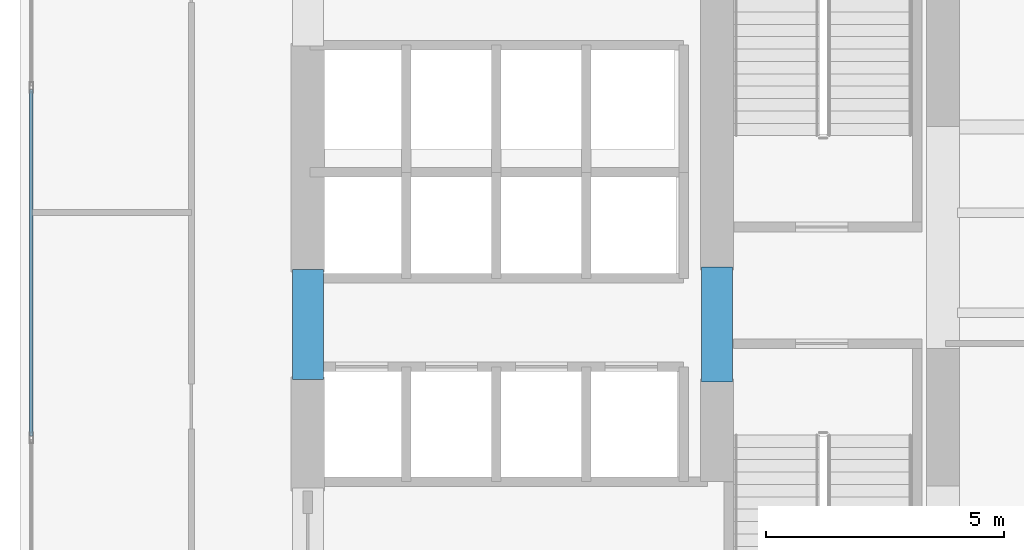
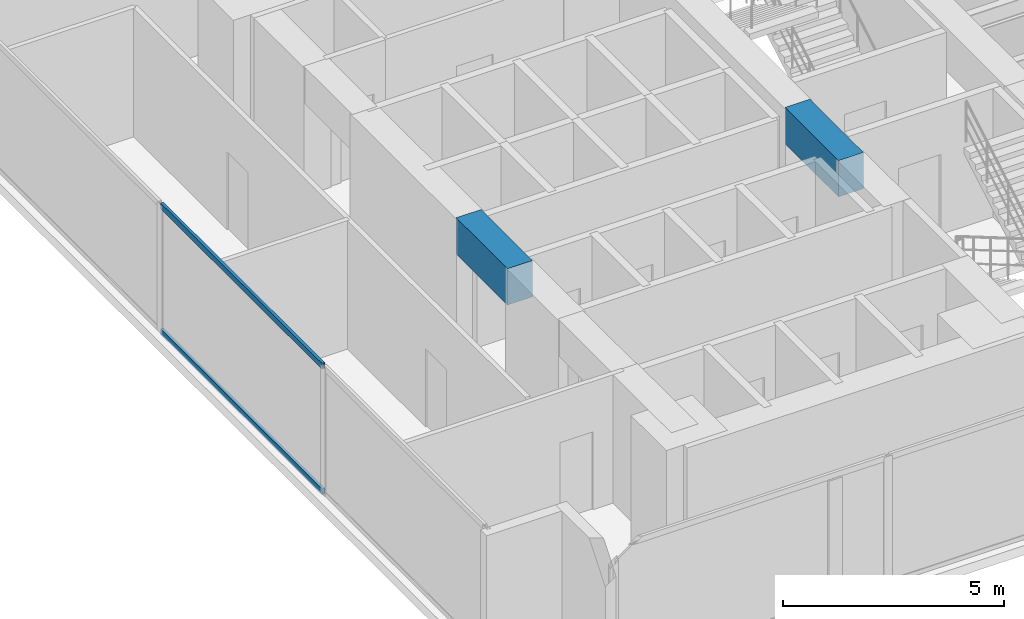
# One storey, part 3 of 27: 2 beams, 2 members, 1 element without a shape of its own.
"""IFC4 building model written with IfcOpenShell, lengths in metres."""

from ifc_helpers import new_model, si_unit, direction, frame, origin, origin_with_axes, origin_2d, place, context, subcontext, project, spatial, rectangle, hollow_rectangle, extrude, source, transform, mapped, material, layer, layer_set, material_profile, profile_set, type_object, element, aggregate, save


model = new_model("IFC4")

# Units and contexts
model_context = context("Model", 3, precision=1e-05, world=origin(), true_north=direction((0.0, 1.0)))
body_context = subcontext(model_context, "Body", "Model", "MODEL_VIEW")
ifc_project = project(units=[si_unit("LENGTHUNIT", "METRE"), si_unit("AREAUNIT", "SQUARE_METRE"), si_unit("VOLUMEUNIT", "CUBIC_METRE"), si_unit("PLANEANGLEUNIT", "RADIAN"), si_unit("MASSUNIT", "GRAM", prefix="KILO")], contexts=[model_context])

# Site, building, storey
site_placement = place(None, origin())
site = spatial("IfcSite", under=ifc_project, at=site_placement, CompositionType="ELEMENT")
building_placement = place(site_placement, origin())
building = spatial("IfcBuilding", under=site, at=building_placement, Name="Kolvaren Waterfront Exchange", CompositionType="ELEMENT")
storey_placement = place(building_placement, frame((0.0, 0.0, 33.39990234375)))
storey = spatial("IfcBuildingStorey", under=building, at=storey_placement, Name="L08", CompositionType="ELEMENT", Elevation=33.39990234375)

# Beams
ifc_material_1 = material(Name="Concrete C60/75", Category="concrete")
ifc_material_profile_1 = material_profile(ifc_material_1, rectangle(XDim=0.64990234375, YDim=1.0, at=origin_2d()), Name="RC-CB-1000x650")
ifc_profile_set_1 = profile_set([ifc_material_profile_1], Name="Concrete C60/75")
beam_type = type_object("IfcBeamType", Name="STR-CB-1000", PredefinedType="SPANDREL", material=ifc_profile_set_1)
beam_1_placement = place(storey_placement, frame((7.449951171875, 12.090087890625, 3.0400390625), z_axis=(0.0, 1.0, 0.0), x_axis=(-1.0, 0.0, 0.0)))
element("IfcBeam", 1, at=beam_1_placement, inside=storey, type_object=beam_type, Name="L08 core coupling beam 4", PredefinedType="SPANDREL", context=body_context, shape_type="SweptSolid", body=[
    extrude(rectangle(XDim=0.64990234375, YDim=1.0, at=origin_2d()), origin(), (0.0, 0.0, 1.0), 2.31982421875),
])
beam_2_placement = place(storey_placement, frame((16.050048828125, 12.0400390625, 3.0400390625), z_axis=(0.0, 1.0, 0.0), x_axis=(-1.0, 0.0, 0.0)))
element("IfcBeam", 2, at=beam_2_placement, inside=storey, type_object=beam_type, Name="L08 core coupling beam 6", PredefinedType="SPANDREL", context=body_context, shape_type="SweptSolid", body=[
    extrude(rectangle(XDim=0.64990234375, YDim=1.0, at=origin_2d()), origin(), (0.0, 0.0, 1.0), 2.419921875),
])

# Curtain wall, members
ifc_material_2 = material(Name="Anodised aluminium 6063-T6", Category="aluminium")
ifc_layer = layer(ifc_material_2, 0.219970703125, Name="Anodised aluminium 6063-T6")
ifc_layer_set = layer_set([ifc_layer], Name="Anodised aluminium 6063-T6")
curtain_wall_type = type_object("IfcCurtainWallType", Name="ARC-CW-SYS2", PredefinedType="USERDEFINED", material=ifc_layer_set)
curtain_wall_placement = place(storey_placement, origin())
curtain_wall = element("IfcCurtainWall", 3, at=curtain_wall_placement, inside=storey, type_object=curtain_wall_type, Name="L08 stick curtain wall CW2 (CW-L08-W)", ObjectType="STICK CURTAIN WALL", PredefinedType="USERDEFINED")
ifc_material_profile_2 = material_profile(ifc_material_2, hollow_rectangle(XDim=0.074951171875, YDim=0.159912109375, WallThickness=0.00439453125, at=origin_2d()), Name="ALU-TRN-160x75x4.5")
ifc_profile_set_2 = profile_set([ifc_material_profile_2], Name="Anodised aluminium 6063-T6")
member_type = type_object("IfcMemberType", Name="ARC-CWT-160", PredefinedType="USERDEFINED", material=ifc_profile_set_2)
shared_shape = source(origin_with_axes(), body_context, "Body", "SweptSolid", [
    extrude(hollow_rectangle(XDim=0.074951171875, YDim=0.159912109375, WallThickness=0.00439453125, at=origin_2d()), origin(), (0.0, 0.0, 1.0), 7.28662109375),
])
member_1_placement = place(storey_placement, frame((1.639892578125, 10.90673828125, 0.03759765625), z_axis=(0.0, 1.0, 0.0), x_axis=(-1.0, 0.0, 0.0)))
member_1 = element("IfcMember", 4, at=member_1_placement, type_object=member_type, Name="CW2 transom 2.1", ObjectType="TRANSOM", PredefinedType="USERDEFINED", context=body_context, shape_type="MappedRepresentation", body=[
    mapped(shared_shape, transform((0.0, 0.0, 0.0), x_axis=(1.0, 0.0, 0.0), y_axis=(0.0, 1.0, 0.0), z_axis=(0.0, 0.0, 1.0), scale=1.0)),
])
member_2_placement = place(storey_placement, frame((1.639892578125, 10.90673828125, 3.502685546875), z_axis=(0.0, 1.0, 0.0), x_axis=(-1.0, 0.0, 0.0)))
member_2 = element("IfcMember", 5, at=member_2_placement, type_object=member_type, Name="CW2 transom 2.2", ObjectType="TRANSOM", PredefinedType="USERDEFINED", context=body_context, shape_type="MappedRepresentation", body=[
    mapped(shared_shape, transform((0.0, 0.0, 0.0), x_axis=(1.0, 0.0, 0.0), y_axis=(0.0, 1.0, 0.0), z_axis=(0.0, 0.0, 1.0), scale=1.0)),
])
aggregate(curtain_wall, [member_1, member_2])

save(model, "model.ifc")
